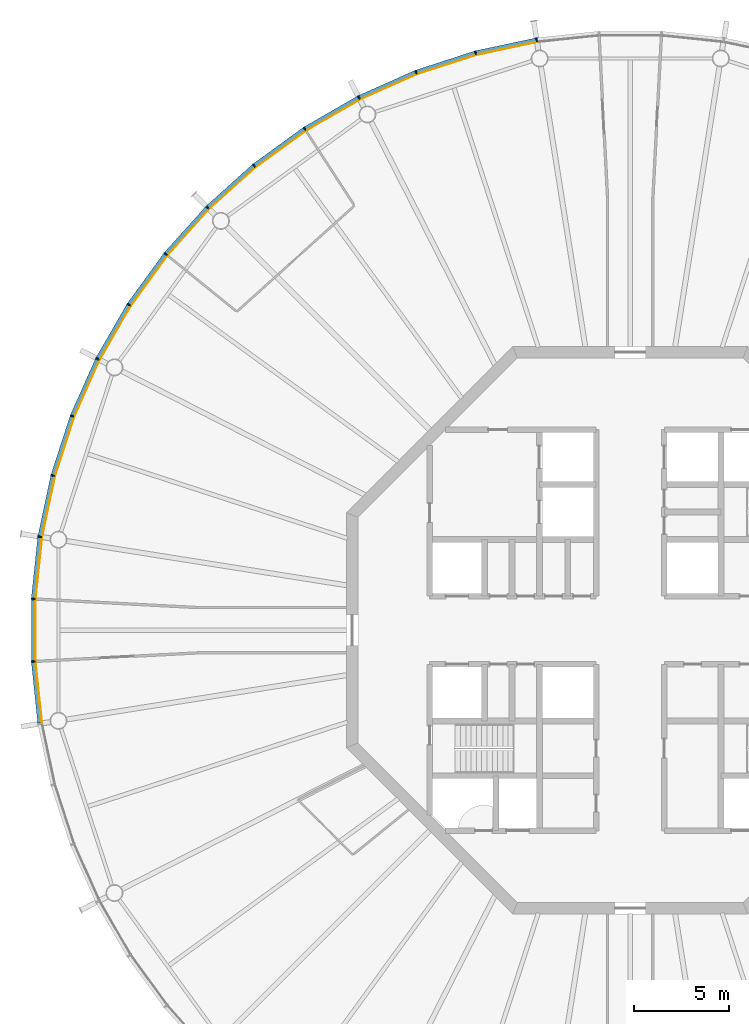
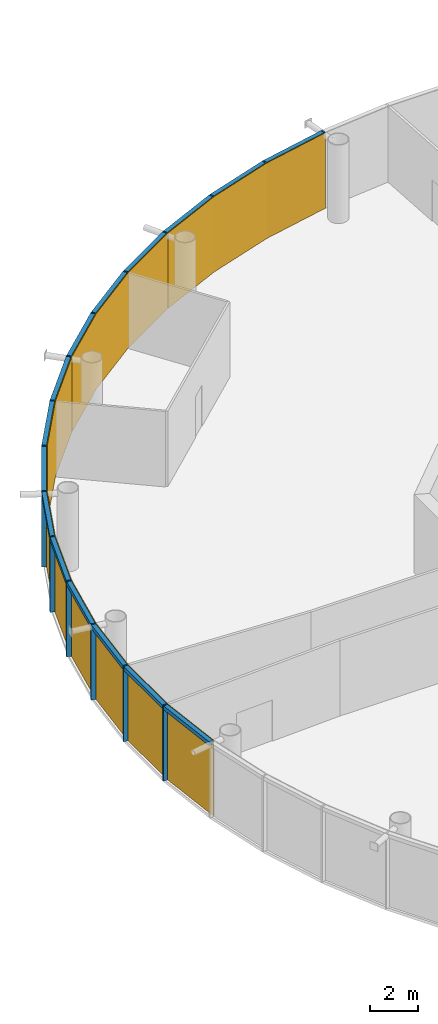
# One storey, part 15 of 18: 30 members, 5 curtain walls.
"""IFC4 building model written with IfcOpenShell, lengths in metres."""

from ifc_helpers import new_model, si_unit, direction, frame, origin, origin_2d, place, context, subcontext, project, spatial, polyline, rectangle, outline, extrude, material, layer, layer_set, material_profile, profile_set, type_object, element, aggregate, save


model = new_model("IFC4")

# Units and contexts
model_context = context("Model", 3, precision=1e-05, world=origin(), true_north=direction((0.0, 1.0)))
body_context = subcontext(model_context, "Body", "Model", "MODEL_VIEW")
ifc_project = project(units=[si_unit("LENGTHUNIT", "METRE"), si_unit("AREAUNIT", "SQUARE_METRE"), si_unit("VOLUMEUNIT", "CUBIC_METRE"), si_unit("PLANEANGLEUNIT", "RADIAN"), si_unit("MASSUNIT", "GRAM", prefix="KILO")], contexts=[model_context])

# Member
ifc_material_1 = material(Name="Anodised aluminium", Category="aluminium")
ifc_material_profile_1 = material_profile(ifc_material_1, rectangle(XDim=0.070068359375, YDim=0.205078125, at=origin_2d()), Name="Mullion 70 x 205 mm anodised aluminium")
ifc_profile_set_1 = profile_set([ifc_material_profile_1], Name="Anodised aluminium")
member_type_1 = type_object("IfcMemberType", Name="Mullion 70 x 205 mm anodised aluminium", PredefinedType="MULLION", material=ifc_profile_set_1)
site_placement = place(None, origin())
building_placement = place(site_placement, origin())
storey_placement = place(building_placement, frame((0.0, 0.0, 352.0)))
member_1_placement = place(storey_placement, frame((85.056396484375, 111.21337890625, 0.0), z_axis=(0.0, 0.0, 1.0), x_axis=(-0.987688340595, -0.15643446504, 0.0)))
member_1 = element("IfcMember", 1, at=member_1_placement, type_object=member_type_1, Name="MULLION L81-15", PredefinedType="MULLION", context=body_context, shape_type="SweptSolid", body=[
    extrude(rectangle(XDim=0.070068359375, YDim=0.205078125, at=origin_2d()), origin(), (0.0, 0.0, 1.0), 3.85009765625),
])

member_2_placement = place(storey_placement, frame((81.820556640625, 110.525634765625, 0.0), z_axis=(0.0, 0.0, 1.0), x_axis=(-0.965925826289, -0.258819045103, 0.0)))
member_2 = element("IfcMember", 2, at=member_2_placement, type_object=member_type_1, Name="MULLION L81-16", PredefinedType="MULLION", context=body_context, shape_type="SweptSolid", body=[
    extrude(rectangle(XDim=0.070068359375, YDim=0.205078125, at=origin_2d()), origin(), (0.0, 0.0, 1.0), 3.85009765625),
])

member_3_placement = place(storey_placement, frame((78.674560546875, 109.50341796875, 0.0), z_axis=(0.0, 0.0, 1.0), x_axis=(-0.933580426497, -0.358367949545, 0.0)))
member_3 = element("IfcMember", 3, at=member_3_placement, type_object=member_type_1, Name="MULLION L81-17", PredefinedType="MULLION", context=body_context, shape_type="SweptSolid", body=[
    extrude(rectangle(XDim=0.070068359375, YDim=0.205078125, at=origin_2d()), origin(), (0.0, 0.0, 1.0), 3.85009765625),
])

member_4_placement = place(storey_placement, frame((75.65283203125, 108.157958984375, 0.0), z_axis=(0.0, 0.0, 1.0), x_axis=(-0.891006524188, -0.45399049974, 0.0)))
member_4 = element("IfcMember", 4, at=member_4_placement, type_object=member_type_1, Name="MULLION L81-18", PredefinedType="MULLION", context=body_context, shape_type="SweptSolid", body=[
    extrude(rectangle(XDim=0.070068359375, YDim=0.205078125, at=origin_2d()), origin(), (0.0, 0.0, 1.0), 3.85009765625),
])

member_5_placement = place(storey_placement, frame((72.7880859375, 106.504150390625, 0.0), z_axis=(0.0, 0.0, 1.0), x_axis=(-0.838670567945, -0.544639035015, 0.0)))
member_5 = element("IfcMember", 5, at=member_5_placement, type_object=member_type_1, Name="MULLION L81-19", PredefinedType="MULLION", context=body_context, shape_type="SweptSolid", body=[
    extrude(rectangle(XDim=0.070068359375, YDim=0.205078125, at=origin_2d()), origin(), (0.0, 0.0, 1.0), 3.85009765625),
])

member_6_placement = place(storey_placement, frame((70.11181640625, 104.559814453125, 0.0), z_axis=(0.0, 0.0, 1.0), x_axis=(-0.777145961457, -0.62932039105, 0.0)))
member_6 = element("IfcMember", 6, at=member_6_placement, type_object=member_type_1, Name="MULLION L81-20", PredefinedType="MULLION", context=body_context, shape_type="SweptSolid", body=[
    extrude(rectangle(XDim=0.070068359375, YDim=0.205078125, at=origin_2d()), origin(), (0.0, 0.0, 1.0), 3.85009765625),
])

member_7_placement = place(storey_placement, frame((67.653564453125, 102.346435546875, 0.0), z_axis=(0.0, 0.0, 1.0), x_axis=(-0.707106781187, -0.707106781187, 0.0)))
member_7 = element("IfcMember", 7, at=member_7_placement, type_object=member_type_1, Name="MULLION L81-21", PredefinedType="MULLION", context=body_context, shape_type="SweptSolid", body=[
    extrude(rectangle(XDim=0.070068359375, YDim=0.205078125, at=origin_2d()), origin(), (0.0, 0.0, 1.0), 3.85009765625),
])

member_8_placement = place(storey_placement, frame((65.440185546875, 99.88818359375, 0.0), z_axis=(0.0, 0.0, 1.0), x_axis=(-0.62932039105, -0.777145961457, 0.0)))
member_8 = element("IfcMember", 8, at=member_8_placement, type_object=member_type_1, Name="MULLION L81-22", PredefinedType="MULLION", context=body_context, shape_type="SweptSolid", body=[
    extrude(rectangle(XDim=0.070068359375, YDim=0.205078125, at=origin_2d()), origin(), (0.0, 0.0, 1.0), 3.85009765625),
])

member_9_placement = place(storey_placement, frame((63.495849609375, 97.2119140625, 0.0), z_axis=(0.0, 0.0, 1.0), x_axis=(-0.544639035015, -0.838670567945, 0.0)))
member_9 = element("IfcMember", 9, at=member_9_placement, type_object=member_type_1, Name="MULLION L81-23", PredefinedType="MULLION", context=body_context, shape_type="SweptSolid", body=[
    extrude(rectangle(XDim=0.070068359375, YDim=0.205078125, at=origin_2d()), origin(), (0.0, 0.0, 1.0), 3.85009765625),
])

member_10_placement = place(storey_placement, frame((61.842041015625, 94.34716796875, 0.0), z_axis=(0.0, 0.0, 1.0), x_axis=(-0.45399049974, -0.891006524188, 0.0)))
member_10 = element("IfcMember", 10, at=member_10_placement, type_object=member_type_1, Name="MULLION L81-24", PredefinedType="MULLION", context=body_context, shape_type="SweptSolid", body=[
    extrude(rectangle(XDim=0.070068359375, YDim=0.205078125, at=origin_2d()), origin(), (0.0, 0.0, 1.0), 3.85009765625),
])

member_11_placement = place(storey_placement, frame((60.49658203125, 91.325439453125, 0.0), z_axis=(0.0, 0.0, 1.0), x_axis=(-0.358367949545, -0.933580426497, 0.0)))
member_11 = element("IfcMember", 11, at=member_11_placement, type_object=member_type_1, Name="MULLION L81-25", PredefinedType="MULLION", context=body_context, shape_type="SweptSolid", body=[
    extrude(rectangle(XDim=0.070068359375, YDim=0.205078125, at=origin_2d()), origin(), (0.0, 0.0, 1.0), 3.85009765625),
])

member_12_placement = place(storey_placement, frame((59.474365234375, 88.179443359375, 0.0), z_axis=(0.0, 0.0, 1.0), x_axis=(-0.258819045103, -0.965925826289, 0.0)))
member_12 = element("IfcMember", 12, at=member_12_placement, type_object=member_type_1, Name="MULLION L81-26", PredefinedType="MULLION", context=body_context, shape_type="SweptSolid", body=[
    extrude(rectangle(XDim=0.070068359375, YDim=0.205078125, at=origin_2d()), origin(), (0.0, 0.0, 1.0), 3.85009765625),
])

member_13_placement = place(storey_placement, frame((58.78662109375, 84.943603515625, 0.0), z_axis=(0.0, 0.0, 1.0), x_axis=(-0.15643446504, -0.987688340595, 0.0)))
member_13 = element("IfcMember", 13, at=member_13_placement, type_object=member_type_1, Name="MULLION L81-27", PredefinedType="MULLION", context=body_context, shape_type="SweptSolid", body=[
    extrude(rectangle(XDim=0.070068359375, YDim=0.205078125, at=origin_2d()), origin(), (0.0, 0.0, 1.0), 3.85009765625),
])

member_14_placement = place(storey_placement, frame((58.44091796875, 81.654052734375, 0.0), z_axis=(0.0, 0.0, 1.0), x_axis=(-0.052335956243, -0.998629534755, 0.0)))
member_14 = element("IfcMember", 14, at=member_14_placement, type_object=member_type_1, Name="MULLION L81-28", PredefinedType="MULLION", context=body_context, shape_type="SweptSolid", body=[
    extrude(rectangle(XDim=0.070068359375, YDim=0.205078125, at=origin_2d()), origin(), (0.0, 0.0, 1.0), 3.85009765625),
])

member_15_placement = place(storey_placement, frame((58.44091796875, 78.345947265625, 0.0), z_axis=(0.0, 0.0, 1.0), x_axis=(0.052335956243, -0.998629534755, 0.0)))
member_15 = element("IfcMember", 15, at=member_15_placement, type_object=member_type_1, Name="MULLION L81-29", PredefinedType="MULLION", context=body_context, shape_type="SweptSolid", body=[
    extrude(rectangle(XDim=0.070068359375, YDim=0.205078125, at=origin_2d()), origin(), (0.0, 0.0, 1.0), 3.85009765625),
])

ifc_material_2 = material(Name="Anodised aluminium", Category="aluminium")
ifc_material_profile_2 = material_profile(ifc_material_2, rectangle(XDim=0.205078125, YDim=0.195068359375, at=origin_2d()), Name="Transom 195 x 205 mm anodised aluminium")
ifc_profile_set_2 = profile_set([ifc_material_profile_2], Name="Anodised aluminium")
member_type_2 = type_object("IfcMemberType", Name="Transom 195 x 205 mm anodised aluminium", PredefinedType="USERDEFINED", material=ifc_profile_set_2)
member_16_placement = place(storey_placement, frame((85.016845703125, 111.205078125, 3.75244140625), z_axis=(-0.978153082647, -0.207885898771, 0.0), x_axis=(0.207885898771, -0.978153082647, 0.0)))
member_16 = element("IfcMember", 16, at=member_16_placement, type_object=member_type_2, Name="TRANSOM L81-15", ObjectType="TRANSOM", PredefinedType="USERDEFINED", context=body_context, shape_type="SweptSolid", body=[
    extrude(rectangle(XDim=0.205078125, YDim=0.195068359375, at=origin_2d()), origin(), (0.0, 0.0, 1.0), 3.227294921875),
])

member_17_placement = place(storey_placement, frame((81.7822265625, 110.513427734375, 3.75244140625), z_axis=(-0.951046855117, -0.309046726844, 0.0), x_axis=(0.309046726844, -0.951046855117, 0.0)))
member_17 = element("IfcMember", 17, at=member_17_placement, type_object=member_type_2, Name="TRANSOM L81-16", ObjectType="TRANSOM", PredefinedType="USERDEFINED", context=body_context, shape_type="SweptSolid", body=[
    extrude(rectangle(XDim=0.205078125, YDim=0.195068359375, at=origin_2d()), origin(), (0.0, 0.0, 1.0), 3.22705078125),
])

member_18_placement = place(storey_placement, frame((78.6376953125, 109.4873046875, 3.75244140625), z_axis=(-0.913521178731, -0.406791170024, 0.0), x_axis=(0.406791170024, -0.913521178731, 0.0)))
member_18 = element("IfcMember", 18, at=member_18_placement, type_object=member_type_2, Name="TRANSOM L81-17", ObjectType="TRANSOM", PredefinedType="USERDEFINED", context=body_context, shape_type="SweptSolid", body=[
    extrude(rectangle(XDim=0.205078125, YDim=0.195068359375, at=origin_2d()), origin(), (0.0, 0.0, 1.0), 3.22705078125),
])

member_19_placement = place(storey_placement, frame((75.61767578125, 108.137939453125, 3.75244140625), z_axis=(-0.866023062494, -0.500004055213, 0.0), x_axis=(0.500004055213, -0.866023062494, 0.0)))
member_19 = element("IfcMember", 19, at=member_19_placement, type_object=member_type_2, Name="TRANSOM L81-18", ObjectType="TRANSOM", PredefinedType="USERDEFINED", context=body_context, shape_type="SweptSolid", body=[
    extrude(rectangle(XDim=0.205078125, YDim=0.195068359375, at=origin_2d()), origin(), (0.0, 0.0, 1.0), 3.22705078125),
])

member_20_placement = place(storey_placement, frame((72.75537109375, 106.48046875, 3.75244140625), z_axis=(-0.809004252048, -0.587802790201, 0.0), x_axis=(0.587802790201, -0.809004252048, 0.0)))
member_20 = element("IfcMember", 20, at=member_20_placement, type_object=member_type_2, Name="TRANSOM L81-19", ObjectType="TRANSOM", PredefinedType="USERDEFINED", context=body_context, shape_type="SweptSolid", body=[
    extrude(rectangle(XDim=0.205078125, YDim=0.195068359375, at=origin_2d()), origin(), (0.0, 0.0, 1.0), 3.227294921875),
])

member_21_placement = place(storey_placement, frame((70.081787109375, 104.532958984375, 3.75244140625), z_axis=(-0.743132370743, -0.669144438484, 0.0), x_axis=(0.669144438484, -0.743132370743, 0.0)))
member_21 = element("IfcMember", 21, at=member_21_placement, type_object=member_type_2, Name="TRANSOM L81-20", ObjectType="TRANSOM", PredefinedType="USERDEFINED", context=body_context, shape_type="SweptSolid", body=[
    extrude(rectangle(XDim=0.205078125, YDim=0.195068359375, at=origin_2d()), origin(), (0.0, 0.0, 1.0), 3.22705078125),
])

member_22_placement = place(storey_placement, frame((67.62646484375, 102.31640625, 3.75244140625), z_axis=(-0.669144438484, -0.743132370743, 0.0), x_axis=(0.743132370743, -0.669144438484, 0.0)))
member_22 = element("IfcMember", 22, at=member_22_placement, type_object=member_type_2, Name="TRANSOM L81-21", ObjectType="TRANSOM", PredefinedType="USERDEFINED", context=body_context, shape_type="SweptSolid", body=[
    extrude(rectangle(XDim=0.205078125, YDim=0.195068359375, at=origin_2d()), origin(), (0.0, 0.0, 1.0), 3.22705078125),
])

member_23_placement = place(storey_placement, frame((65.41650390625, 99.85546875, 3.75244140625), z_axis=(-0.587802790201, -0.809004252048, 0.0), x_axis=(0.809004252048, -0.587802790201, 0.0)))
member_23 = element("IfcMember", 23, at=member_23_placement, type_object=member_type_2, Name="TRANSOM L81-22", ObjectType="TRANSOM", PredefinedType="USERDEFINED", context=body_context, shape_type="SweptSolid", body=[
    extrude(rectangle(XDim=0.205078125, YDim=0.195068359375, at=origin_2d()), origin(), (0.0, 0.0, 1.0), 3.227294921875),
])

member_24_placement = place(storey_placement, frame((63.4755859375, 97.177001953125, 3.75244140625), z_axis=(-0.500004055213, -0.866023062494, 0.0), x_axis=(0.866023062494, -0.500004055213, 0.0)))
member_24 = element("IfcMember", 24, at=member_24_placement, type_object=member_type_2, Name="TRANSOM L81-23", ObjectType="TRANSOM", PredefinedType="USERDEFINED", context=body_context, shape_type="SweptSolid", body=[
    extrude(rectangle(XDim=0.205078125, YDim=0.195068359375, at=origin_2d()), origin(), (0.0, 0.0, 1.0), 3.22705078125),
])

member_25_placement = place(storey_placement, frame((61.825439453125, 94.310302734375, 3.75244140625), z_axis=(-0.406791170024, -0.913521178731, 0.0), x_axis=(0.913521178731, -0.406791170024, 0.0)))
member_25 = element("IfcMember", 25, at=member_25_placement, type_object=member_type_2, Name="TRANSOM L81-24", ObjectType="TRANSOM", PredefinedType="USERDEFINED", context=body_context, shape_type="SweptSolid", body=[
    extrude(rectangle(XDim=0.205078125, YDim=0.195068359375, at=origin_2d()), origin(), (0.0, 0.0, 1.0), 3.22705078125),
])

member_26_placement = place(storey_placement, frame((60.48388671875, 91.286865234375, 3.75244140625), z_axis=(-0.309046726844, -0.951046855117, 0.0), x_axis=(0.951046855117, -0.309046726844, 0.0)))
member_26 = element("IfcMember", 26, at=member_26_placement, type_object=member_type_2, Name="TRANSOM L81-25", ObjectType="TRANSOM", PredefinedType="USERDEFINED", context=body_context, shape_type="SweptSolid", body=[
    extrude(rectangle(XDim=0.205078125, YDim=0.195068359375, at=origin_2d()), origin(), (0.0, 0.0, 1.0), 3.22705078125),
])

member_27_placement = place(storey_placement, frame((59.4658203125, 88.139892578125, 3.75244140625), z_axis=(-0.207885898771, -0.978153082647, 0.0), x_axis=(0.978153082647, -0.207885898771, 0.0)))
member_27 = element("IfcMember", 27, at=member_27_placement, type_object=member_type_2, Name="TRANSOM L81-26", ObjectType="TRANSOM", PredefinedType="USERDEFINED", context=body_context, shape_type="SweptSolid", body=[
    extrude(rectangle(XDim=0.205078125, YDim=0.195068359375, at=origin_2d()), origin(), (0.0, 0.0, 1.0), 3.227294921875),
])

member_28_placement = place(storey_placement, frame((58.7822265625, 84.903564453125, 3.75244140625), z_axis=(-0.104550890115, -0.994519537956, 0.0), x_axis=(0.994519537956, -0.104550890115, 0.0)))
member_28 = element("IfcMember", 28, at=member_28_placement, type_object=member_type_2, Name="TRANSOM L81-27", ObjectType="TRANSOM", PredefinedType="USERDEFINED", context=body_context, shape_type="SweptSolid", body=[
    extrude(rectangle(XDim=0.205078125, YDim=0.195068359375, at=origin_2d()), origin(), (0.0, 0.0, 1.0), 3.22705078125),
])

member_29_placement = place(storey_placement, frame((58.440673828125, 81.613525390625, 3.75244140625), z_axis=(0.0, -1.0, 0.0), x_axis=(1.0, 0.0, 0.0)))
member_29 = element("IfcMember", 29, at=member_29_placement, type_object=member_type_2, Name="TRANSOM L81-28", ObjectType="TRANSOM", PredefinedType="USERDEFINED", context=body_context, shape_type="SweptSolid", body=[
    extrude(rectangle(XDim=0.205078125, YDim=0.195068359375, at=origin_2d()), origin(), (0.0, 0.0, 1.0), 3.22705078125),
])

member_30_placement = place(storey_placement, frame((58.44482421875, 78.305908203125, 3.75244140625), z_axis=(0.104550890115, -0.994519537956, 0.0), x_axis=(0.994519537956, 0.104550890115, 0.0)))
member_30 = element("IfcMember", 30, at=member_30_placement, type_object=member_type_2, Name="TRANSOM L81-29", ObjectType="TRANSOM", PredefinedType="USERDEFINED", context=body_context, shape_type="SweptSolid", body=[
    extrude(rectangle(XDim=0.205078125, YDim=0.195068359375, at=origin_2d()), origin(), (0.0, 0.0, 1.0), 3.22705078125),
])

# Site, building, storey
site = spatial("IfcSite", under=ifc_project, at=site_placement, CompositionType="ELEMENT")
building = spatial("IfcBuilding", under=site, at=building_placement, Name="Entoto Ring Tower", CompositionType="ELEMENT")
storey = spatial("IfcBuildingStorey", under=building, at=storey_placement, Name="L81", CompositionType="ELEMENT", Elevation=352.0)

# Curtain wall
ifc_material_3 = material(Name="Clear low-iron glass", Category="glass")
ifc_layer = layer(ifc_material_3, 0.035888671875)
ifc_layer_set = layer_set([ifc_layer], Name="Clear low-iron glass")
curtain_wall_type = type_object("IfcCurtainWallType", Name="Curtain wall system CW6 glazing 36 mm", PredefinedType="NOTDEFINED", material=ifc_layer_set)
curtain_wall_1_placement = place(storey_placement, origin())
curtain_wall_1 = element("IfcCurtainWall", 31, at=curtain_wall_1_placement, inside=storey, type_object=curtain_wall_type, Name="CW6 L81-06", PredefinedType="NOTDEFINED", context=body_context, shape_type="SweptSolid", body=[
    extrude(outline(polyline([(85.072265625, 111.1123046875), (81.84716796875, 110.4267578125), (78.71142578125, 109.40771484375), (75.69921875, 108.066650390625), (75.715576171875, 108.03466796875), (78.724365234375, 109.3740234375), (81.8564453125, 110.391845703125), (85.077880859375, 111.07666015625), (85.072265625, 111.1123046875)])), origin(), (0.0, 0.0, 1.0), 3.85009765625),
])

aggregate(curtain_wall_1, [member_1, member_2, member_3, member_16, member_17, member_18])

curtain_wall_2_placement = place(storey_placement, origin())
curtain_wall_2 = element("IfcCurtainWall", 32, at=curtain_wall_2_placement, inside=storey, type_object=curtain_wall_type, Name="CW6 L81-07", PredefinedType="NOTDEFINED", context=body_context, shape_type="SweptSolid", body=[
    extrude(outline(polyline([(75.69921875, 108.066650390625), (72.84375, 106.418212890625), (70.176513671875, 104.47998046875), (67.72607421875, 102.27392578125), (67.751708984375, 102.248291015625), (70.198974609375, 104.4521484375), (72.863525390625, 106.387939453125), (75.715576171875, 108.03466796875), (75.69921875, 108.066650390625)])), origin(), (0.0, 0.0, 1.0), 3.85009765625),
])

aggregate(curtain_wall_2, [member_4, member_5, member_6, member_19, member_20, member_21])

curtain_wall_3_placement = place(storey_placement, origin())
curtain_wall_3 = element("IfcCurtainWall", 33, at=curtain_wall_3_placement, inside=storey, type_object=curtain_wall_type, Name="CW6 L81-08", PredefinedType="NOTDEFINED", context=body_context, shape_type="SweptSolid", body=[
    extrude(outline(polyline([(67.72607421875, 102.27392578125), (65.52001953125, 99.823486328125), (63.581787109375, 97.15625), (61.933349609375, 94.30078125), (61.96533203125, 94.284423828125), (63.612060546875, 97.136474609375), (65.5478515625, 99.801025390625), (67.751708984375, 102.248291015625), (67.72607421875, 102.27392578125)])), origin(), (0.0, 0.0, 1.0), 3.85009765625),
])

aggregate(curtain_wall_3, [member_7, member_8, member_9, member_22, member_23, member_24])

curtain_wall_4_placement = place(storey_placement, origin())
curtain_wall_4 = element("IfcCurtainWall", 34, at=curtain_wall_4_placement, inside=storey, type_object=curtain_wall_type, Name="CW6 L81-09", PredefinedType="NOTDEFINED", context=body_context, shape_type="SweptSolid", body=[
    extrude(outline(polyline([(61.933349609375, 94.30078125), (60.59228515625, 91.28857421875), (59.5732421875, 88.15283203125), (58.8876953125, 84.927734375), (58.92333984375, 84.922119140625), (59.608154296875, 88.1435546875), (60.6259765625, 91.275634765625), (61.96533203125, 94.284423828125), (61.933349609375, 94.30078125)])), origin(), (0.0, 0.0, 1.0), 3.85009765625),
])

aggregate(curtain_wall_4, [member_10, member_11, member_12, member_25, member_26, member_27])

curtain_wall_5_placement = place(storey_placement, origin())
curtain_wall_5 = element("IfcCurtainWall", 35, at=curtain_wall_5_placement, inside=storey, type_object=curtain_wall_type, Name="CW6 L81-10", PredefinedType="NOTDEFINED", context=body_context, shape_type="SweptSolid", body=[
    extrude(outline(polyline([(58.8876953125, 84.927734375), (58.543212890625, 81.648681640625), (58.543212890625, 78.351318359375), (58.8876953125, 75.072265625), (58.92333984375, 75.077880859375), (58.5791015625, 78.353271484375), (58.5791015625, 81.646728515625), (58.92333984375, 84.922119140625), (58.8876953125, 84.927734375)])), origin(), (0.0, 0.0, 1.0), 3.85009765625),
])

aggregate(curtain_wall_5, [member_13, member_14, member_15, member_28, member_29, member_30])

save(model, "model.ifc")
